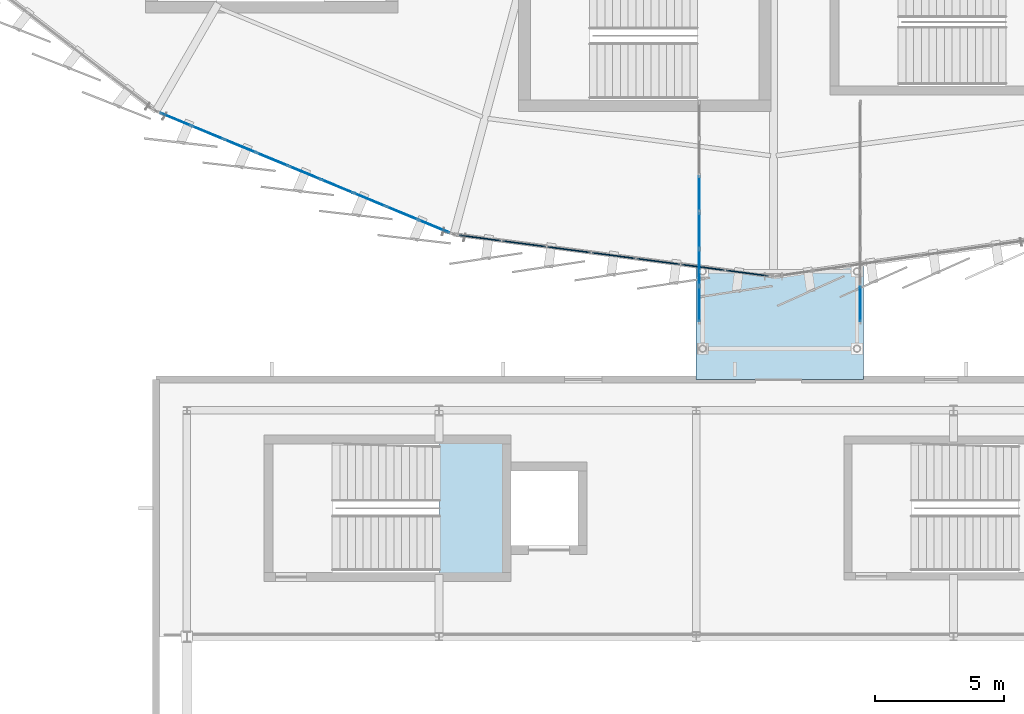
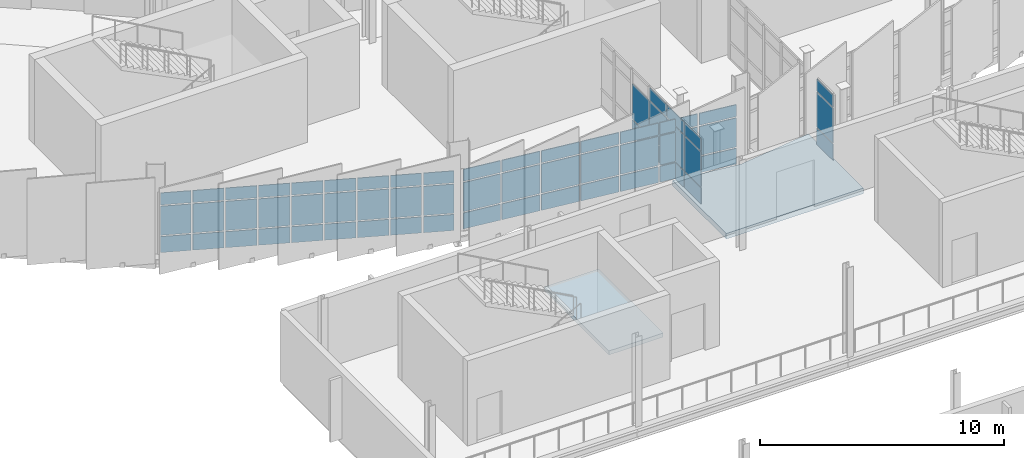
# One storey, part 85 of 134: 62 plates, 2 slabs, 5 elements without a shape of their own.
"""IFC4 building model written with IfcOpenShell, lengths in metres."""

import ifcopenshell
import ifcopenshell.guid

model = None  # the IFC model being written
_history = None  # IfcOwnerHistory: only IFC2X3 demands one
_inside = {}  # id of a spatial element -> (the spatial element, [elements in it])
_under = {}  # id of a project, library or spatial element -> (it, [spatial elements below it])
_declared = {}  # id of a project -> (the project, [libraries it declares])
_typed = {}  # id of a type object -> (the type object, [elements of that type])
_made_of = {}  # id of a material, layer set ... -> (it, [elements and type objects made of it])


def new_model(schema):
    """Start an empty IFC model of exactly this schema.

    Asked for "IFC4X3", IfcOpenShell would pick the latest addendum, in which some entities
    have other attributes; the version numbers below select the first issue.
    IFC2X3 requires an IfcOwnerHistory on every rooted entity: one is made here for all.
    """
    global model, _history
    if schema == "IFC4X3":
        model = ifcopenshell.file(schema_version=(4, 3, 0, 0))
    else:
        model = ifcopenshell.file(schema=schema)
    _inside.clear()
    _under.clear()
    _declared.clear()
    _typed.clear()
    _made_of.clear()
    _history = None
    if model.schema == "IFC2X3":
        org = make("IfcOrganization", Name="unknown")
        user = make(
            "IfcPersonAndOrganization",
            ThePerson=make("IfcPerson", FamilyName="unknown"),
            TheOrganization=org,
        )
        app = make(
            "IfcApplication",
            ApplicationDeveloper=org,
            Version="unknown",
            ApplicationFullName="unknown",
            ApplicationIdentifier="unknown",
        )
        _history = make(
            "IfcOwnerHistory",
            OwningUser=user,
            OwningApplication=app,
            ChangeAction="ADDED",
            CreationDate=0,
        )
    return model


def make(cls, **values):
    """One entity of the class cls with the attributes given. An attribute that is None is left unset."""
    return model.create_entity(
        cls, **{name: value for name, value in values.items() if value is not None}
    )


def rooted(cls, **values):
    """An entity with a GlobalId (a new one), such as an element, a storey or a relation."""
    return make(cls, GlobalId=ifcopenshell.guid.new(), OwnerHistory=_history, **values)


def si_unit(unit_type, name, prefix=None):
    """IfcSIUnit, for example si_unit("LENGTHUNIT", "METRE", prefix="MILLI")."""
    return make("IfcSIUnit", UnitType=unit_type, Prefix=prefix, Name=name)


def assignment(units):
    """IfcUnitAssignment: the units of a project."""
    return None if units is None else make("IfcUnitAssignment", Units=units)


def point(xyz):
    """IfcCartesianPoint."""
    return None if xyz is None else make("IfcCartesianPoint", Coordinates=xyz)


def direction(xyz):
    """IfcDirection."""
    return None if xyz is None else make("IfcDirection", DirectionRatios=xyz)


def frame(location, z_axis=None, x_axis=None):
    """IfcAxis2Placement3D, a coordinate frame: its origin and axes. An axis left out is left unset."""
    return make(
        "IfcAxis2Placement3D",
        Location=point(location),
        Axis=direction(z_axis),
        RefDirection=direction(x_axis),
    )


def frame_2d(location, x_axis=None):
    """IfcAxis2Placement2D, a coordinate frame in the plane: its origin and x axis."""
    return make(
        "IfcAxis2Placement2D", Location=point(location), RefDirection=direction(x_axis)
    )


def origin():
    """The frame at (0, 0, 0) with its axes left unset."""
    return frame((0.0, 0.0, 0.0))


def origin_2d():
    """The frame at (0, 0) in the plane with its x axis left unset."""
    return frame_2d((0.0, 0.0))


def place(relative_to, where):
    """IfcLocalPlacement: puts the frame where relative to a parent placement (None: the world)."""
    return make(
        "IfcLocalPlacement", PlacementRelTo=relative_to, RelativePlacement=where
    )


def context(
    kind, dimensions, precision=None, world=None, true_north=None, identifier=None
):
    """IfcGeometricRepresentationContext, for example the 3D "Model" context."""
    return make(
        "IfcGeometricRepresentationContext",
        ContextIdentifier=identifier,
        ContextType=kind,
        CoordinateSpaceDimension=dimensions,
        Precision=precision,
        WorldCoordinateSystem=world,
        TrueNorth=true_north,
    )


def subcontext(parent, identifier, kind, view, scale=None):
    """IfcGeometricRepresentationSubContext, for example "Body" below "Model"."""
    return make(
        "IfcGeometricRepresentationSubContext",
        ContextIdentifier=identifier,
        ContextType=kind,
        ParentContext=parent,
        TargetScale=scale,
        TargetView=view,
    )


def project(units=None, contexts=None):
    """IfcProject with its units and contexts."""
    return rooted(
        "IfcProject",
        Name="project",
        RepresentationContexts=contexts,
        UnitsInContext=assignment(units),
    )


def spatial(cls, under=None, at=None, **own):
    """A site, building, storey or space (cls), placed at a placement, below another one or the project."""
    s = rooted(cls, ObjectPlacement=at, **own)
    if under is not None:
        _under.setdefault(under.id(), (under, []))[1].append(s)
    return s


def polyline(points):
    """IfcPolyline through the points."""
    return make("IfcPolyline", Points=[point(p) for p in points])


def profile(cls, at=None, kind="AREA", **sizes):
    """A parametric profile (cls). Its sizes go by their IFC names, for example OverallWidth=200.0."""
    return make(cls, ProfileType=kind, Position=at, **sizes)


def rectangle(**sizes):
    """IfcRectangleProfileDef."""
    return profile("IfcRectangleProfileDef", **sizes)


def outline(outer, holes=None, kind="AREA"):
    """IfcArbitraryClosedProfileDef: a profile drawn as a closed curve; with holes, ...WithVoids."""
    if holes is None:
        return make("IfcArbitraryClosedProfileDef", ProfileType=kind, OuterCurve=outer)
    return make(
        "IfcArbitraryProfileDefWithVoids",
        ProfileType=kind,
        OuterCurve=outer,
        InnerCurves=holes,
    )


def extrude(swept, where, along, depth):
    """IfcExtrudedAreaSolid: the profile swept, set in the frame where, extruded along a direction by depth."""
    return make(
        "IfcExtrudedAreaSolid",
        SweptArea=swept,
        Position=where,
        ExtrudedDirection=direction(along),
        Depth=depth,
    )


def shape(context_of_items, identifier, shape_type, items):
    """IfcShapeRepresentation: the items that make up one representation, for example the "Body"."""
    return make(
        "IfcShapeRepresentation",
        ContextOfItems=context_of_items,
        RepresentationIdentifier=identifier,
        RepresentationType=shape_type,
        Items=items,
    )


def material(Name=None, Category=None):
    """IfcMaterial."""
    return make("IfcMaterial", Name=Name, Category=Category)


def layer(
    of_material, thickness, ventilated=None, Name=None, Category=None, Priority=None
):
    """IfcMaterialLayer: one layer of a wall or slab, of a material (None: an air gap)."""
    return make(
        "IfcMaterialLayer",
        Material=of_material,
        LayerThickness=thickness,
        IsVentilated=ventilated,
        Name=Name,
        Category=Category,
        Priority=Priority,
    )


def layer_set(layers, Name=None):
    """IfcMaterialLayerSet."""
    return make("IfcMaterialLayerSet", MaterialLayers=layers, LayerSetName=Name)


def made_of(thing, what):
    """Note that an element or type object is made of a material, layer set ...; save() writes the relation."""
    if what is not None:
        _made_of.setdefault(what.id(), (what, []))[1].append(thing)
    return thing


def type_object(cls, material=None, **own):
    """A type object (cls), such as IfcWallType, which elements share."""
    return made_of(rooted(cls, **own), material)


def element(
    cls,
    number,
    at=None,
    inside=None,
    cuts=None,
    type_object=None,
    material=None,
    context=None,
    identifier="Body",
    shape_type=None,
    held_by="IfcProductDefinitionShape",
    body=None,
    shapes=None,
    **own,
):
    """One element of the class cls, such as IfcWall. Its Tag is "e" and its number.

    at: its placement. inside: the storey or other place that contains it. cuts: it is an
    opening in that element (IfcRelVoidsElement). A single representation is given by context,
    identifier, shape_type and body (its items); several are given by shapes. held_by: the class
    of the entity that holds the representations. save() writes the other relations.
    """
    e = rooted(cls, Tag="e%d" % number, ObjectPlacement=at, **own)
    if body is not None:
        shapes = [shape(context, identifier, shape_type, body)]
    if shapes is not None:
        e.Representation = make(held_by, Representations=shapes)
    if inside is not None:
        _inside.setdefault(inside.id(), (inside, []))[1].append(e)
    if cuts is not None:
        rooted(
            "IfcRelVoidsElement", RelatingBuildingElement=cuts, RelatedOpeningElement=e
        )
    if type_object is not None:
        _typed.setdefault(type_object.id(), (type_object, []))[1].append(e)
    return made_of(e, material)


def aggregate(whole, parts):
    """IfcRelAggregates: a whole, such as a stair, and the parts it consists of."""
    return rooted("IfcRelAggregates", RelatingObject=whole, RelatedObjects=parts)


def save(model, path):
    """Write the relations noted so far, then the file.

    IfcRelAggregates (storeys below a building ...), IfcRelContainedInSpatialStructure (elements
    in a storey), IfcRelDefinesByType, IfcRelAssociatesMaterial and IfcRelDeclares: one each for
    every whole, place, type object, material and project.
    """
    for whole, parts in _under.values():
        aggregate(whole, parts)
    for where, things in _inside.values():
        rooted(
            "IfcRelContainedInSpatialStructure",
            RelatedElements=things,
            RelatingStructure=where,
        )
    for kind, things in _typed.values():
        rooted("IfcRelDefinesByType", RelatedObjects=things, RelatingType=kind)
    for what, things in _made_of.values():
        rooted("IfcRelAssociatesMaterial", RelatedObjects=things, RelatingMaterial=what)
    for by, libraries in _declared.values():
        rooted("IfcRelDeclares", RelatingContext=by, RelatedDefinitions=libraries)
    model.write(path)


model = new_model("IFC4")

# Units and contexts
model_context = context("Model", 3, precision=1e-05, world=origin(), true_north=direction((0.0, 1.0)))
body_context = subcontext(model_context, "Body", "Model", "MODEL_VIEW")
ifc_project = project(units=[si_unit("LENGTHUNIT", "METRE"), si_unit("AREAUNIT", "SQUARE_METRE"), si_unit("VOLUMEUNIT", "CUBIC_METRE"), si_unit("PLANEANGLEUNIT", "RADIAN"), si_unit("MASSUNIT", "GRAM", prefix="KILO")], contexts=[model_context])

# Site, building, storey
site_placement = place(None, origin())
site = spatial("IfcSite", under=ifc_project, at=site_placement, CompositionType="ELEMENT")
building_placement = place(site_placement, origin())
building = spatial("IfcBuilding", under=site, at=building_placement, Name="Sohan Crest Arena", CompositionType="ELEMENT")
storey_placement = place(building_placement, frame((0.0, 0.0, 4.5)))
storey = spatial("IfcBuildingStorey", under=building, at=storey_placement, Name="L01", CompositionType="ELEMENT", Elevation=4.5)

# Curtain wall, plates
ifc_material_1 = material(Name="Thermally broken anodised aluminium", Category="aluminium")
ifc_layer_1 = layer(ifc_material_1, 0.18994140625, Name="Thermally broken anodised aluminium")
ifc_layer_set_1 = layer_set([ifc_layer_1], Name="Thermally broken anodised aluminium")
curtain_wall_type_1 = type_object("IfcCurtainWallType", Name="ARC-CW05", PredefinedType="NOTDEFINED", material=ifc_layer_set_1)
curtain_wall_1_placement = place(storey_placement, origin())
curtain_wall_1 = element("IfcCurtainWall", 1, at=curtain_wall_1_placement, inside=storey, type_object=curtain_wall_type_1, Name="Unitised curtain wall CW-249", PredefinedType="NOTDEFINED")
ifc_material_2 = material(Name="Low-E double-glazed insulated glass", Category="glass")
ifc_layer_2 = layer(ifc_material_2, 0.028076171875, Name="Low-E double-glazed insulated glass")
ifc_layer_set_2 = layer_set([ifc_layer_2], Name="Low-E double-glazed insulated glass")
plate_type_1 = type_object("IfcPlateType", Name="ARC-CNP01", PredefinedType="CURTAIN_PANEL", material=ifc_layer_set_2)
plate_1_placement = place(storey_placement, frame((95.1201171875, 28.932861328125, 0.06005859375), z_axis=(0.0, 0.0, 1.0), x_axis=(0.0, 1.0, 0.0)))
plate_1 = element("IfcPlate", 2, at=plate_1_placement, type_object=plate_type_1, Name="CW-249 panel 1.1", PredefinedType="CURTAIN_PANEL", context=body_context, shape_type="SweptSolid", body=[
    extrude(rectangle(XDim=1.3359375, YDim=0.028076171875, at=origin_2d()), origin(), (0.0, 0.0, 1.0), 0.81005859375),
])
plate_2_placement = place(storey_placement, frame((95.1201171875, 28.932861328125, 0.93017578125), z_axis=(0.0, 0.0, 1.0), x_axis=(0.0, 1.0, 0.0)))
plate_2 = element("IfcPlate", 3, at=plate_2_placement, type_object=plate_type_1, Name="CW-249 panel 1.2", PredefinedType="CURTAIN_PANEL", context=body_context, shape_type="SweptSolid", body=[
    extrude(rectangle(XDim=1.3359375, YDim=0.028076171875, at=origin_2d()), origin(), (0.0, 0.0, 1.0), 1.739990234375),
])
plate_3_placement = place(storey_placement, frame((95.1201171875, 28.932861328125, 2.72998046875), z_axis=(0.0, 0.0, 1.0), x_axis=(0.0, 1.0, 0.0)))
plate_3 = element("IfcPlate", 4, at=plate_3_placement, type_object=plate_type_1, Name="CW-249 panel 1.3", PredefinedType="CURTAIN_PANEL", context=body_context, shape_type="SweptSolid", body=[
    extrude(rectangle(XDim=1.3359375, YDim=0.028076171875, at=origin_2d()), origin(), (0.0, 0.0, 1.0), 0.610107421875),
])
plate_4_placement = place(storey_placement, frame((95.1201171875, 30.35009765625, 0.06005859375), z_axis=(0.0, 0.0, 1.0), x_axis=(0.0, 1.0, 0.0)))
plate_4 = element("IfcPlate", 5, at=plate_4_placement, type_object=plate_type_1, Name="CW-249 panel 2.1", PredefinedType="CURTAIN_PANEL", context=body_context, shape_type="SweptSolid", body=[
    extrude(rectangle(XDim=1.368408203125, YDim=0.028076171875, at=origin_2d()), origin(), (0.0, 0.0, 1.0), 0.81005859375),
])
plate_5_placement = place(storey_placement, frame((95.1201171875, 30.35009765625, 0.93017578125), z_axis=(0.0, 0.0, 1.0), x_axis=(0.0, 1.0, 0.0)))
plate_5 = element("IfcPlate", 6, at=plate_5_placement, type_object=plate_type_1, Name="CW-249 panel 2.2", PredefinedType="CURTAIN_PANEL", context=body_context, shape_type="SweptSolid", body=[
    extrude(rectangle(XDim=1.368408203125, YDim=0.028076171875, at=origin_2d()), origin(), (0.0, 0.0, 1.0), 1.739990234375),
])
plate_6_placement = place(storey_placement, frame((95.1201171875, 30.35009765625, 2.72998046875), z_axis=(0.0, 0.0, 1.0), x_axis=(0.0, 1.0, 0.0)))
plate_6 = element("IfcPlate", 7, at=plate_6_placement, type_object=plate_type_1, Name="CW-249 panel 2.3", PredefinedType="CURTAIN_PANEL", context=body_context, shape_type="SweptSolid", body=[
    extrude(rectangle(XDim=1.368408203125, YDim=0.028076171875, at=origin_2d()), origin(), (0.0, 0.0, 1.0), 0.610107421875),
])
plate_7_placement = place(storey_placement, frame((95.1201171875, 31.783447265625, 0.06005859375), z_axis=(0.0, 0.0, 1.0), x_axis=(0.0, 1.0, 0.0)))
plate_7 = element("IfcPlate", 8, at=plate_7_placement, type_object=plate_type_1, Name="CW-249 panel 3.1", PredefinedType="CURTAIN_PANEL", context=body_context, shape_type="SweptSolid", body=[
    extrude(rectangle(XDim=1.368408203125, YDim=0.028076171875, at=origin_2d()), origin(), (0.0, 0.0, 1.0), 0.81005859375),
])
plate_8_placement = place(storey_placement, frame((95.1201171875, 31.783447265625, 0.93017578125), z_axis=(0.0, 0.0, 1.0), x_axis=(0.0, 1.0, 0.0)))
plate_8 = element("IfcPlate", 9, at=plate_8_placement, type_object=plate_type_1, Name="CW-249 panel 3.2", PredefinedType="CURTAIN_PANEL", context=body_context, shape_type="SweptSolid", body=[
    extrude(rectangle(XDim=1.368408203125, YDim=0.028076171875, at=origin_2d()), origin(), (0.0, 0.0, 1.0), 1.739990234375),
])
plate_9_placement = place(storey_placement, frame((95.1201171875, 31.783447265625, 2.72998046875), z_axis=(0.0, 0.0, 1.0), x_axis=(0.0, 1.0, 0.0)))
plate_9 = element("IfcPlate", 10, at=plate_9_placement, type_object=plate_type_1, Name="CW-249 panel 3.3", PredefinedType="CURTAIN_PANEL", context=body_context, shape_type="SweptSolid", body=[
    extrude(rectangle(XDim=1.368408203125, YDim=0.028076171875, at=origin_2d()), origin(), (0.0, 0.0, 1.0), 0.610107421875),
])
plate_10_placement = place(storey_placement, frame((95.1201171875, 33.216552734375, 0.06005859375), z_axis=(0.0, 0.0, 1.0), x_axis=(0.0, 1.0, 0.0)))
plate_10 = element("IfcPlate", 11, at=plate_10_placement, type_object=plate_type_1, Name="CW-249 panel 4.1", PredefinedType="CURTAIN_PANEL", context=body_context, shape_type="SweptSolid", body=[
    extrude(rectangle(XDim=1.368408203125, YDim=0.028076171875, at=origin_2d()), origin(), (0.0, 0.0, 1.0), 0.81005859375),
])
plate_11_placement = place(storey_placement, frame((95.1201171875, 33.216552734375, 0.93017578125), z_axis=(0.0, 0.0, 1.0), x_axis=(0.0, 1.0, 0.0)))
plate_11 = element("IfcPlate", 12, at=plate_11_placement, type_object=plate_type_1, Name="CW-249 panel 4.2", PredefinedType="CURTAIN_PANEL", context=body_context, shape_type="SweptSolid", body=[
    extrude(rectangle(XDim=1.368408203125, YDim=0.028076171875, at=origin_2d()), origin(), (0.0, 0.0, 1.0), 1.739990234375),
])
aggregate(curtain_wall_1, [plate_1, plate_2, plate_3, plate_4, plate_5, plate_6, plate_7, plate_8, plate_9, plate_10, plate_11])

curtain_wall_2_placement = place(storey_placement, origin())
curtain_wall_2 = element("IfcCurtainWall", 13, at=curtain_wall_2_placement, inside=storey, type_object=curtain_wall_type_1, Name="Unitised curtain wall CW-250", PredefinedType="NOTDEFINED")
plate_12_placement = place(storey_placement, frame((101.3798828125, 28.932861328125, 0.06005859375), z_axis=(0.0, 0.0, 1.0), x_axis=(0.0, 1.0, 0.0)))
plate_12 = element("IfcPlate", 14, at=plate_12_placement, type_object=plate_type_1, Name="CW-250 panel 1.1", PredefinedType="CURTAIN_PANEL", context=body_context, shape_type="SweptSolid", body=[
    extrude(rectangle(XDim=1.3359375, YDim=0.028076171875, at=origin_2d()), origin(), (0.0, 0.0, 1.0), 0.81005859375),
])
plate_13_placement = place(storey_placement, frame((101.3798828125, 28.932861328125, 0.93017578125), z_axis=(0.0, 0.0, 1.0), x_axis=(0.0, 1.0, 0.0)))
plate_13 = element("IfcPlate", 15, at=plate_13_placement, type_object=plate_type_1, Name="CW-250 panel 1.2", PredefinedType="CURTAIN_PANEL", context=body_context, shape_type="SweptSolid", body=[
    extrude(rectangle(XDim=1.3359375, YDim=0.028076171875, at=origin_2d()), origin(), (0.0, 0.0, 1.0), 1.739990234375),
])
plate_14_placement = place(storey_placement, frame((101.3798828125, 28.932861328125, 2.72998046875), z_axis=(0.0, 0.0, 1.0), x_axis=(0.0, 1.0, 0.0)))
plate_14 = element("IfcPlate", 16, at=plate_14_placement, type_object=plate_type_1, Name="CW-250 panel 1.3", PredefinedType="CURTAIN_PANEL", context=body_context, shape_type="SweptSolid", body=[
    extrude(rectangle(XDim=1.3359375, YDim=0.028076171875, at=origin_2d()), origin(), (0.0, 0.0, 1.0), 0.610107421875),
])
aggregate(curtain_wall_2, [plate_12, plate_13, plate_14])

curtain_wall_3_placement = place(storey_placement, origin())
curtain_wall_3 = element("IfcCurtainWall", 17, at=curtain_wall_3_placement, inside=storey, type_object=curtain_wall_type_1, Name="Unitised curtain wall CW-028", PredefinedType="NOTDEFINED")
ifc_material_3 = material(Name="Ceramic-fritted solar-control insulated glass", Category="glass")
ifc_layer_3 = layer(ifc_material_3, 0.035888671875, Name="Ceramic-fritted solar-control insulated glass")
ifc_layer_set_3 = layer_set([ifc_layer_3], Name="Ceramic-fritted solar-control insulated glass")
plate_type_2 = type_object("IfcPlateType", Name="ARC-CNP03", PredefinedType="CURTAIN_PANEL", material=ifc_layer_set_3)
plate_15_placement = place(storey_placement, frame((74.76611328125, 36.113525390625, 0.06494140625), z_axis=(0.0, 0.0, 1.0), x_axis=(0.923906589897, -0.382618103525, 0.0)))
plate_15 = element("IfcPlate", 18, at=plate_15_placement, type_object=plate_type_2, Name="CW-028 panel 1.1", PredefinedType="CURTAIN_PANEL", context=body_context, shape_type="SweptSolid", body=[
    extrude(rectangle(XDim=1.25830078125, YDim=0.035888671875, at=origin_2d()), origin(), (0.0, 0.0, 1.0), 0.802490234375),
])
plate_16_placement = place(storey_placement, frame((74.76611328125, 36.113525390625, 0.932373046875), z_axis=(0.0, 0.0, 1.0), x_axis=(0.923906589897, -0.382618103525, 0.0)))
plate_16 = element("IfcPlate", 19, at=plate_16_placement, type_object=plate_type_2, Name="CW-028 panel 1.2", PredefinedType="CURTAIN_PANEL", context=body_context, shape_type="SweptSolid", body=[
    extrude(rectangle(XDim=1.25830078125, YDim=0.035888671875, at=origin_2d()), origin(), (0.0, 0.0, 1.0), 1.455078125),
])
plate_17_placement = place(storey_placement, frame((74.76611328125, 36.113525390625, 2.452392578125), z_axis=(0.0, 0.0, 1.0), x_axis=(0.923906589897, -0.382618103525, 0.0)))
plate_17 = element("IfcPlate", 20, at=plate_17_placement, type_object=plate_type_2, Name="CW-028 panel 1.3", PredefinedType="CURTAIN_PANEL", context=body_context, shape_type="SweptSolid", body=[
    extrude(rectangle(XDim=1.25830078125, YDim=0.035888671875, at=origin_2d()), origin(), (0.0, 0.0, 1.0), 0.6025390625),
])
plate_18_placement = place(storey_placement, frame((76.009521484375, 35.598388671875, 0.06494140625), z_axis=(0.0, 0.0, 1.0), x_axis=(0.923906589897, -0.382618103525, 0.0)))
plate_18 = element("IfcPlate", 21, at=plate_18_placement, type_object=plate_type_2, Name="CW-028 panel 2.1", PredefinedType="CURTAIN_PANEL", context=body_context, shape_type="SweptSolid", body=[
    extrude(rectangle(XDim=1.29345703125, YDim=0.035888671875, at=origin_2d()), origin(), (0.0, 0.0, 1.0), 0.802490234375),
])
plate_19_placement = place(storey_placement, frame((76.009521484375, 35.598388671875, 0.932373046875), z_axis=(0.0, 0.0, 1.0), x_axis=(0.923906589897, -0.382618103525, 0.0)))
plate_19 = element("IfcPlate", 22, at=plate_19_placement, type_object=plate_type_2, Name="CW-028 panel 2.2", PredefinedType="CURTAIN_PANEL", context=body_context, shape_type="SweptSolid", body=[
    extrude(rectangle(XDim=1.29345703125, YDim=0.035888671875, at=origin_2d()), origin(), (0.0, 0.0, 1.0), 1.455078125),
])
plate_20_placement = place(storey_placement, frame((76.009521484375, 35.598388671875, 2.452392578125), z_axis=(0.0, 0.0, 1.0), x_axis=(0.923906589897, -0.382618103525, 0.0)))
plate_20 = element("IfcPlate", 23, at=plate_20_placement, type_object=plate_type_2, Name="CW-028 panel 2.3", PredefinedType="CURTAIN_PANEL", context=body_context, shape_type="SweptSolid", body=[
    extrude(rectangle(XDim=1.29345703125, YDim=0.035888671875, at=origin_2d()), origin(), (0.0, 0.0, 1.0), 0.6025390625),
])
plate_21_placement = place(storey_placement, frame((77.269287109375, 35.076904296875, 0.06494140625), z_axis=(0.0, 0.0, 1.0), x_axis=(0.923906589897, -0.382618103525, 0.0)))
plate_21 = element("IfcPlate", 24, at=plate_21_placement, type_object=plate_type_2, Name="CW-028 panel 3.1", PredefinedType="CURTAIN_PANEL", context=body_context, shape_type="SweptSolid", body=[
    extrude(rectangle(XDim=1.29345703125, YDim=0.035888671875, at=origin_2d()), origin(), (0.0, 0.0, 1.0), 0.802490234375),
])
plate_22_placement = place(storey_placement, frame((77.269287109375, 35.076904296875, 0.932373046875), z_axis=(0.0, 0.0, 1.0), x_axis=(0.923906589897, -0.382618103525, 0.0)))
plate_22 = element("IfcPlate", 25, at=plate_22_placement, type_object=plate_type_2, Name="CW-028 panel 3.2", PredefinedType="CURTAIN_PANEL", context=body_context, shape_type="SweptSolid", body=[
    extrude(rectangle(XDim=1.29345703125, YDim=0.035888671875, at=origin_2d()), origin(), (0.0, 0.0, 1.0), 1.455078125),
])
plate_23_placement = place(storey_placement, frame((77.269287109375, 35.076904296875, 2.452392578125), z_axis=(0.0, 0.0, 1.0), x_axis=(0.923906589897, -0.382618103525, 0.0)))
plate_23 = element("IfcPlate", 26, at=plate_23_placement, type_object=plate_type_2, Name="CW-028 panel 3.3", PredefinedType="CURTAIN_PANEL", context=body_context, shape_type="SweptSolid", body=[
    extrude(rectangle(XDim=1.29345703125, YDim=0.035888671875, at=origin_2d()), origin(), (0.0, 0.0, 1.0), 0.6025390625),
])
plate_24_placement = place(storey_placement, frame((78.52880859375, 34.55517578125, 0.06494140625), z_axis=(0.0, 0.0, 1.0), x_axis=(0.923906589897, -0.382618103525, 0.0)))
plate_24 = element("IfcPlate", 27, at=plate_24_placement, type_object=plate_type_2, Name="CW-028 panel 4.1", PredefinedType="CURTAIN_PANEL", context=body_context, shape_type="SweptSolid", body=[
    extrude(rectangle(XDim=1.29345703125, YDim=0.035888671875, at=origin_2d()), origin(), (0.0, 0.0, 1.0), 0.802490234375),
])
plate_25_placement = place(storey_placement, frame((78.52880859375, 34.55517578125, 0.932373046875), z_axis=(0.0, 0.0, 1.0), x_axis=(0.923906589897, -0.382618103525, 0.0)))
plate_25 = element("IfcPlate", 28, at=plate_25_placement, type_object=plate_type_2, Name="CW-028 panel 4.2", PredefinedType="CURTAIN_PANEL", context=body_context, shape_type="SweptSolid", body=[
    extrude(rectangle(XDim=1.29345703125, YDim=0.035888671875, at=origin_2d()), origin(), (0.0, 0.0, 1.0), 1.455078125),
])
plate_26_placement = place(storey_placement, frame((78.52880859375, 34.55517578125, 2.452392578125), z_axis=(0.0, 0.0, 1.0), x_axis=(0.923906589897, -0.382618103525, 0.0)))
plate_26 = element("IfcPlate", 29, at=plate_26_placement, type_object=plate_type_2, Name="CW-028 panel 4.3", PredefinedType="CURTAIN_PANEL", context=body_context, shape_type="SweptSolid", body=[
    extrude(rectangle(XDim=1.29345703125, YDim=0.035888671875, at=origin_2d()), origin(), (0.0, 0.0, 1.0), 0.6025390625),
])
plate_27_placement = place(storey_placement, frame((79.78857421875, 34.033447265625, 0.06494140625), z_axis=(0.0, 0.0, 1.0), x_axis=(0.923906589897, -0.382618103525, 0.0)))
plate_27 = element("IfcPlate", 30, at=plate_27_placement, type_object=plate_type_2, Name="CW-028 panel 5.1", PredefinedType="CURTAIN_PANEL", context=body_context, shape_type="SweptSolid", body=[
    extrude(rectangle(XDim=1.29345703125, YDim=0.035888671875, at=origin_2d()), origin(), (0.0, 0.0, 1.0), 0.802490234375),
])
plate_28_placement = place(storey_placement, frame((79.78857421875, 34.033447265625, 0.932373046875), z_axis=(0.0, 0.0, 1.0), x_axis=(0.923906589897, -0.382618103525, 0.0)))
plate_28 = element("IfcPlate", 31, at=plate_28_placement, type_object=plate_type_2, Name="CW-028 panel 5.2", PredefinedType="CURTAIN_PANEL", context=body_context, shape_type="SweptSolid", body=[
    extrude(rectangle(XDim=1.29345703125, YDim=0.035888671875, at=origin_2d()), origin(), (0.0, 0.0, 1.0), 1.455078125),
])
plate_29_placement = place(storey_placement, frame((79.78857421875, 34.033447265625, 2.452392578125), z_axis=(0.0, 0.0, 1.0), x_axis=(0.923906589897, -0.382618103525, 0.0)))
plate_29 = element("IfcPlate", 32, at=plate_29_placement, type_object=plate_type_2, Name="CW-028 panel 5.3", PredefinedType="CURTAIN_PANEL", context=body_context, shape_type="SweptSolid", body=[
    extrude(rectangle(XDim=1.29345703125, YDim=0.035888671875, at=origin_2d()), origin(), (0.0, 0.0, 1.0), 0.6025390625),
])
plate_30_placement = place(storey_placement, frame((81.048095703125, 33.51171875, 0.06494140625), z_axis=(0.0, 0.0, 1.0), x_axis=(0.923906589897, -0.382618103525, 0.0)))
plate_30 = element("IfcPlate", 33, at=plate_30_placement, type_object=plate_type_2, Name="CW-028 panel 6.1", PredefinedType="CURTAIN_PANEL", context=body_context, shape_type="SweptSolid", body=[
    extrude(rectangle(XDim=1.29345703125, YDim=0.035888671875, at=origin_2d()), origin(), (0.0, 0.0, 1.0), 0.802490234375),
])
plate_31_placement = place(storey_placement, frame((81.048095703125, 33.51171875, 0.932373046875), z_axis=(0.0, 0.0, 1.0), x_axis=(0.923906589897, -0.382618103525, 0.0)))
plate_31 = element("IfcPlate", 34, at=plate_31_placement, type_object=plate_type_2, Name="CW-028 panel 6.2", PredefinedType="CURTAIN_PANEL", context=body_context, shape_type="SweptSolid", body=[
    extrude(rectangle(XDim=1.29345703125, YDim=0.035888671875, at=origin_2d()), origin(), (0.0, 0.0, 1.0), 1.455078125),
])
plate_32_placement = place(storey_placement, frame((81.048095703125, 33.51171875, 2.452392578125), z_axis=(0.0, 0.0, 1.0), x_axis=(0.923906589897, -0.382618103525, 0.0)))
plate_32 = element("IfcPlate", 35, at=plate_32_placement, type_object=plate_type_2, Name="CW-028 panel 6.3", PredefinedType="CURTAIN_PANEL", context=body_context, shape_type="SweptSolid", body=[
    extrude(rectangle(XDim=1.29345703125, YDim=0.035888671875, at=origin_2d()), origin(), (0.0, 0.0, 1.0), 0.6025390625),
])
plate_33_placement = place(storey_placement, frame((82.307861328125, 32.990234375, 0.06494140625), z_axis=(0.0, 0.0, 1.0), x_axis=(0.923906589897, -0.382618103525, 0.0)))
plate_33 = element("IfcPlate", 36, at=plate_33_placement, type_object=plate_type_2, Name="CW-028 panel 7.1", PredefinedType="CURTAIN_PANEL", context=body_context, shape_type="SweptSolid", body=[
    extrude(rectangle(XDim=1.29345703125, YDim=0.035888671875, at=origin_2d()), origin(), (0.0, 0.0, 1.0), 0.802490234375),
])
plate_34_placement = place(storey_placement, frame((82.307861328125, 32.990234375, 0.932373046875), z_axis=(0.0, 0.0, 1.0), x_axis=(0.923906589897, -0.382618103525, 0.0)))
plate_34 = element("IfcPlate", 37, at=plate_34_placement, type_object=plate_type_2, Name="CW-028 panel 7.2", PredefinedType="CURTAIN_PANEL", context=body_context, shape_type="SweptSolid", body=[
    extrude(rectangle(XDim=1.29345703125, YDim=0.035888671875, at=origin_2d()), origin(), (0.0, 0.0, 1.0), 1.455078125),
])
plate_35_placement = place(storey_placement, frame((82.307861328125, 32.990234375, 2.452392578125), z_axis=(0.0, 0.0, 1.0), x_axis=(0.923906589897, -0.382618103525, 0.0)))
plate_35 = element("IfcPlate", 38, at=plate_35_placement, type_object=plate_type_2, Name="CW-028 panel 7.3", PredefinedType="CURTAIN_PANEL", context=body_context, shape_type="SweptSolid", body=[
    extrude(rectangle(XDim=1.29345703125, YDim=0.035888671875, at=origin_2d()), origin(), (0.0, 0.0, 1.0), 0.6025390625),
])
plate_36_placement = place(storey_placement, frame((83.5673828125, 32.468505859375, 0.06494140625), z_axis=(0.0, 0.0, 1.0), x_axis=(0.923906589897, -0.382618103525, 0.0)))
plate_36 = element("IfcPlate", 39, at=plate_36_placement, type_object=plate_type_2, Name="CW-028 panel 8.1", PredefinedType="CURTAIN_PANEL", context=body_context, shape_type="SweptSolid", body=[
    extrude(rectangle(XDim=1.29345703125, YDim=0.035888671875, at=origin_2d()), origin(), (0.0, 0.0, 1.0), 0.802490234375),
])
plate_37_placement = place(storey_placement, frame((83.5673828125, 32.468505859375, 0.932373046875), z_axis=(0.0, 0.0, 1.0), x_axis=(0.923906589897, -0.382618103525, 0.0)))
plate_37 = element("IfcPlate", 40, at=plate_37_placement, type_object=plate_type_2, Name="CW-028 panel 8.2", PredefinedType="CURTAIN_PANEL", context=body_context, shape_type="SweptSolid", body=[
    extrude(rectangle(XDim=1.29345703125, YDim=0.035888671875, at=origin_2d()), origin(), (0.0, 0.0, 1.0), 1.455078125),
])
plate_38_placement = place(storey_placement, frame((83.5673828125, 32.468505859375, 2.452392578125), z_axis=(0.0, 0.0, 1.0), x_axis=(0.923906589897, -0.382618103525, 0.0)))
plate_38 = element("IfcPlate", 41, at=plate_38_placement, type_object=plate_type_2, Name="CW-028 panel 8.3", PredefinedType="CURTAIN_PANEL", context=body_context, shape_type="SweptSolid", body=[
    extrude(rectangle(XDim=1.29345703125, YDim=0.035888671875, at=origin_2d()), origin(), (0.0, 0.0, 1.0), 0.6025390625),
])
plate_39_placement = place(storey_placement, frame((84.81103515625, 31.95361328125, 0.06494140625), z_axis=(0.0, 0.0, 1.0), x_axis=(0.923906589897, -0.382618103525, 0.0)))
plate_39 = element("IfcPlate", 42, at=plate_39_placement, type_object=plate_type_2, Name="CW-028 panel 9.1", PredefinedType="CURTAIN_PANEL", context=body_context, shape_type="SweptSolid", body=[
    extrude(rectangle(XDim=1.25830078125, YDim=0.035888671875, at=origin_2d()), origin(), (0.0, 0.0, 1.0), 0.802490234375),
])
plate_40_placement = place(storey_placement, frame((84.81103515625, 31.95361328125, 0.932373046875), z_axis=(0.0, 0.0, 1.0), x_axis=(0.923906589897, -0.382618103525, 0.0)))
plate_40 = element("IfcPlate", 43, at=plate_40_placement, type_object=plate_type_2, Name="CW-028 panel 9.2", PredefinedType="CURTAIN_PANEL", context=body_context, shape_type="SweptSolid", body=[
    extrude(rectangle(XDim=1.25830078125, YDim=0.035888671875, at=origin_2d()), origin(), (0.0, 0.0, 1.0), 1.455078125),
])
plate_41_placement = place(storey_placement, frame((84.81103515625, 31.95361328125, 2.452392578125), z_axis=(0.0, 0.0, 1.0), x_axis=(0.923906589897, -0.382618103525, 0.0)))
plate_41 = element("IfcPlate", 44, at=plate_41_placement, type_object=plate_type_2, Name="CW-028 panel 9.3", PredefinedType="CURTAIN_PANEL", context=body_context, shape_type="SweptSolid", body=[
    extrude(rectangle(XDim=1.25830078125, YDim=0.035888671875, at=origin_2d()), origin(), (0.0, 0.0, 1.0), 0.6025390625),
])
aggregate(curtain_wall_3, [plate_15, plate_16, plate_17, plate_18, plate_19, plate_20, plate_21, plate_22, plate_23, plate_24, plate_25, plate_26, plate_27, plate_28, plate_29, plate_30, plate_31, plate_32, plate_33, plate_34, plate_35, plate_36, plate_37, plate_38, plate_39, plate_40, plate_41])

ifc_layer_4 = layer(ifc_material_1, 0.2099609375, Name="Thermally broken anodised aluminium")
ifc_layer_set_4 = layer_set([ifc_layer_4], Name="Thermally broken anodised aluminium")
curtain_wall_type_2 = type_object("IfcCurtainWallType", Name="ARC-CW06", PredefinedType="NOTDEFINED", material=ifc_layer_set_4)
curtain_wall_4_placement = place(storey_placement, origin())
curtain_wall_4 = element("IfcCurtainWall", 45, at=curtain_wall_4_placement, inside=storey, type_object=curtain_wall_type_2, Name="Unitised curtain wall CW-029", PredefinedType="NOTDEFINED")
ifc_material_4 = material(Name="Insulated polychrome ceramic spandrel panel", Category="masonry")
ifc_layer_5 = layer(ifc_material_4, 0.0419921875, Name="Insulated polychrome ceramic spandrel panel")
ifc_layer_set_5 = layer_set([ifc_layer_5], Name="Insulated polychrome ceramic spandrel panel")
plate_type_3 = type_object("IfcPlateType", Name="ARC-CNP04", PredefinedType="CURTAIN_PANEL", material=ifc_layer_set_5)
plate_42_placement = place(storey_placement, frame((86.593505859375, 31.502197265625, 0.070068359375), z_axis=(0.0, 0.0, 1.0), x_axis=(0.991440142438, -0.130562031094, 0.0)))
plate_42 = element("IfcPlate", 46, at=plate_42_placement, type_object=plate_type_3, Name="CW-029 panel 1.1", PredefinedType="CURTAIN_PANEL", context=body_context, shape_type="SweptSolid", body=[
    extrude(rectangle(XDim=1.640380859375, YDim=0.0419921875, at=origin_2d()), origin(), (0.0, 0.0, 1.0), 0.794921875),
])
plate_43_placement = place(storey_placement, frame((86.593505859375, 31.502197265625, 0.93505859375), z_axis=(0.0, 0.0, 1.0), x_axis=(0.991440142438, -0.130562031094, 0.0)))
plate_43 = element("IfcPlate", 47, at=plate_43_placement, type_object=plate_type_3, Name="CW-029 panel 1.2", PredefinedType="CURTAIN_PANEL", context=body_context, shape_type="SweptSolid", body=[
    extrude(rectangle(XDim=1.640380859375, YDim=0.0419921875, at=origin_2d()), origin(), (0.0, 0.0, 1.0), 1.449951171875),
])
plate_44_placement = place(storey_placement, frame((86.593505859375, 31.502197265625, 2.455078125), z_axis=(0.0, 0.0, 1.0), x_axis=(0.991440142438, -0.130562031094, 0.0)))
plate_44 = element("IfcPlate", 48, at=plate_44_placement, type_object=plate_type_3, Name="CW-029 panel 1.3", PredefinedType="CURTAIN_PANEL", context=body_context, shape_type="SweptSolid", body=[
    extrude(rectangle(XDim=1.640380859375, YDim=0.0419921875, at=origin_2d()), origin(), (0.0, 0.0, 1.0), 0.594970703125),
])
plate_45_placement = place(storey_placement, frame((88.312744140625, 31.275634765625, 0.070068359375), z_axis=(0.0, 0.0, 1.0), x_axis=(0.991440142438, -0.130562031094, 0.0)))
plate_45 = element("IfcPlate", 49, at=plate_45_placement, type_object=plate_type_3, Name="CW-029 panel 2.1", PredefinedType="CURTAIN_PANEL", context=body_context, shape_type="SweptSolid", body=[
    extrude(rectangle(XDim=1.677978515625, YDim=0.0419921875, at=origin_2d()), origin(), (0.0, 0.0, 1.0), 0.794921875),
])
plate_46_placement = place(storey_placement, frame((88.312744140625, 31.275634765625, 0.93505859375), z_axis=(0.0, 0.0, 1.0), x_axis=(0.991440142438, -0.130562031094, 0.0)))
plate_46 = element("IfcPlate", 50, at=plate_46_placement, type_object=plate_type_3, Name="CW-029 panel 2.2", PredefinedType="CURTAIN_PANEL", context=body_context, shape_type="SweptSolid", body=[
    extrude(rectangle(XDim=1.677978515625, YDim=0.0419921875, at=origin_2d()), origin(), (0.0, 0.0, 1.0), 1.449951171875),
])
plate_47_placement = place(storey_placement, frame((88.312744140625, 31.275634765625, 2.455078125), z_axis=(0.0, 0.0, 1.0), x_axis=(0.991440142438, -0.130562031094, 0.0)))
plate_47 = element("IfcPlate", 51, at=plate_47_placement, type_object=plate_type_3, Name="CW-029 panel 2.3", PredefinedType="CURTAIN_PANEL", context=body_context, shape_type="SweptSolid", body=[
    extrude(rectangle(XDim=1.677978515625, YDim=0.0419921875, at=origin_2d()), origin(), (0.0, 0.0, 1.0), 0.594970703125),
])
plate_48_placement = place(storey_placement, frame((90.050537109375, 31.046875, 0.070068359375), z_axis=(0.0, 0.0, 1.0), x_axis=(0.991440142438, -0.130562031094, 0.0)))
plate_48 = element("IfcPlate", 52, at=plate_48_placement, type_object=plate_type_3, Name="CW-029 panel 3.1", PredefinedType="CURTAIN_PANEL", context=body_context, shape_type="SweptSolid", body=[
    extrude(rectangle(XDim=1.677978515625, YDim=0.0419921875, at=origin_2d()), origin(), (0.0, 0.0, 1.0), 0.794921875),
])
plate_49_placement = place(storey_placement, frame((90.050537109375, 31.046875, 0.93505859375), z_axis=(0.0, 0.0, 1.0), x_axis=(0.991440142438, -0.130562031094, 0.0)))
plate_49 = element("IfcPlate", 53, at=plate_49_placement, type_object=plate_type_3, Name="CW-029 panel 3.2", PredefinedType="CURTAIN_PANEL", context=body_context, shape_type="SweptSolid", body=[
    extrude(rectangle(XDim=1.677978515625, YDim=0.0419921875, at=origin_2d()), origin(), (0.0, 0.0, 1.0), 1.449951171875),
])
plate_50_placement = place(storey_placement, frame((90.050537109375, 31.046875, 2.455078125), z_axis=(0.0, 0.0, 1.0), x_axis=(0.991440142438, -0.130562031094, 0.0)))
plate_50 = element("IfcPlate", 54, at=plate_50_placement, type_object=plate_type_3, Name="CW-029 panel 3.3", PredefinedType="CURTAIN_PANEL", context=body_context, shape_type="SweptSolid", body=[
    extrude(rectangle(XDim=1.677978515625, YDim=0.0419921875, at=origin_2d()), origin(), (0.0, 0.0, 1.0), 0.594970703125),
])
plate_51_placement = place(storey_placement, frame((91.78857421875, 30.818115234375, 0.070068359375), z_axis=(0.0, 0.0, 1.0), x_axis=(0.991440142438, -0.130562031094, 0.0)))
plate_51 = element("IfcPlate", 55, at=plate_51_placement, type_object=plate_type_3, Name="CW-029 panel 4.1", PredefinedType="CURTAIN_PANEL", context=body_context, shape_type="SweptSolid", body=[
    extrude(rectangle(XDim=1.677978515625, YDim=0.0419921875, at=origin_2d()), origin(), (0.0, 0.0, 1.0), 0.794921875),
])
plate_52_placement = place(storey_placement, frame((91.78857421875, 30.818115234375, 0.93505859375), z_axis=(0.0, 0.0, 1.0), x_axis=(0.991440142438, -0.130562031094, 0.0)))
plate_52 = element("IfcPlate", 56, at=plate_52_placement, type_object=plate_type_3, Name="CW-029 panel 4.2", PredefinedType="CURTAIN_PANEL", context=body_context, shape_type="SweptSolid", body=[
    extrude(rectangle(XDim=1.677978515625, YDim=0.0419921875, at=origin_2d()), origin(), (0.0, 0.0, 1.0), 1.449951171875),
])
plate_53_placement = place(storey_placement, frame((91.78857421875, 30.818115234375, 2.455078125), z_axis=(0.0, 0.0, 1.0), x_axis=(0.991440142438, -0.130562031094, 0.0)))
plate_53 = element("IfcPlate", 57, at=plate_53_placement, type_object=plate_type_3, Name="CW-029 panel 4.3", PredefinedType="CURTAIN_PANEL", context=body_context, shape_type="SweptSolid", body=[
    extrude(rectangle(XDim=1.677978515625, YDim=0.0419921875, at=origin_2d()), origin(), (0.0, 0.0, 1.0), 0.594970703125),
])
plate_54_placement = place(storey_placement, frame((93.5263671875, 30.589111328125, 0.070068359375), z_axis=(0.0, 0.0, 1.0), x_axis=(0.991440142438, -0.130562031094, 0.0)))
plate_54 = element("IfcPlate", 58, at=plate_54_placement, type_object=plate_type_3, Name="CW-029 panel 5.1", PredefinedType="CURTAIN_PANEL", context=body_context, shape_type="SweptSolid", body=[
    extrude(rectangle(XDim=1.677978515625, YDim=0.0419921875, at=origin_2d()), origin(), (0.0, 0.0, 1.0), 0.794921875),
])
plate_55_placement = place(storey_placement, frame((93.5263671875, 30.589111328125, 0.93505859375), z_axis=(0.0, 0.0, 1.0), x_axis=(0.991440142438, -0.130562031094, 0.0)))
plate_55 = element("IfcPlate", 59, at=plate_55_placement, type_object=plate_type_3, Name="CW-029 panel 5.2", PredefinedType="CURTAIN_PANEL", context=body_context, shape_type="SweptSolid", body=[
    extrude(rectangle(XDim=1.677978515625, YDim=0.0419921875, at=origin_2d()), origin(), (0.0, 0.0, 1.0), 1.449951171875),
])
plate_56_placement = place(storey_placement, frame((93.5263671875, 30.589111328125, 2.455078125), z_axis=(0.0, 0.0, 1.0), x_axis=(0.991440142438, -0.130562031094, 0.0)))
plate_56 = element("IfcPlate", 60, at=plate_56_placement, type_object=plate_type_3, Name="CW-029 panel 5.3", PredefinedType="CURTAIN_PANEL", context=body_context, shape_type="SweptSolid", body=[
    extrude(rectangle(XDim=1.677978515625, YDim=0.0419921875, at=origin_2d()), origin(), (0.0, 0.0, 1.0), 0.594970703125),
])
plate_57_placement = place(storey_placement, frame((95.26416015625, 30.3603515625, 0.070068359375), z_axis=(0.0, 0.0, 1.0), x_axis=(0.991440142438, -0.130562031094, 0.0)))
plate_57 = element("IfcPlate", 61, at=plate_57_placement, type_object=plate_type_3, Name="CW-029 panel 6.1", PredefinedType="CURTAIN_PANEL", context=body_context, shape_type="SweptSolid", body=[
    extrude(rectangle(XDim=1.677978515625, YDim=0.0419921875, at=origin_2d()), origin(), (0.0, 0.0, 1.0), 0.794921875),
])
plate_58_placement = place(storey_placement, frame((95.26416015625, 30.3603515625, 0.93505859375), z_axis=(0.0, 0.0, 1.0), x_axis=(0.991440142438, -0.130562031094, 0.0)))
plate_58 = element("IfcPlate", 62, at=plate_58_placement, type_object=plate_type_3, Name="CW-029 panel 6.2", PredefinedType="CURTAIN_PANEL", context=body_context, shape_type="SweptSolid", body=[
    extrude(rectangle(XDim=1.677978515625, YDim=0.0419921875, at=origin_2d()), origin(), (0.0, 0.0, 1.0), 1.449951171875),
])
plate_59_placement = place(storey_placement, frame((95.26416015625, 30.3603515625, 2.455078125), z_axis=(0.0, 0.0, 1.0), x_axis=(0.991440142438, -0.130562031094, 0.0)))
plate_59 = element("IfcPlate", 63, at=plate_59_placement, type_object=plate_type_3, Name="CW-029 panel 6.3", PredefinedType="CURTAIN_PANEL", context=body_context, shape_type="SweptSolid", body=[
    extrude(rectangle(XDim=1.677978515625, YDim=0.0419921875, at=origin_2d()), origin(), (0.0, 0.0, 1.0), 0.594970703125),
])
plate_60_placement = place(storey_placement, frame((96.9833984375, 30.1337890625, 0.070068359375), z_axis=(0.0, 0.0, 1.0), x_axis=(0.991440142438, -0.130562031094, 0.0)))
plate_60 = element("IfcPlate", 64, at=plate_60_placement, type_object=plate_type_3, Name="CW-029 panel 7.1", PredefinedType="CURTAIN_PANEL", context=body_context, shape_type="SweptSolid", body=[
    extrude(rectangle(XDim=1.640380859375, YDim=0.0419921875, at=origin_2d()), origin(), (0.0, 0.0, 1.0), 0.794921875),
])
plate_61_placement = place(storey_placement, frame((96.9833984375, 30.1337890625, 0.93505859375), z_axis=(0.0, 0.0, 1.0), x_axis=(0.991440142438, -0.130562031094, 0.0)))
plate_61 = element("IfcPlate", 65, at=plate_61_placement, type_object=plate_type_3, Name="CW-029 panel 7.2", PredefinedType="CURTAIN_PANEL", context=body_context, shape_type="SweptSolid", body=[
    extrude(rectangle(XDim=1.640380859375, YDim=0.0419921875, at=origin_2d()), origin(), (0.0, 0.0, 1.0), 1.449951171875),
])
plate_62_placement = place(storey_placement, frame((96.9833984375, 30.1337890625, 2.455078125), z_axis=(0.0, 0.0, 1.0), x_axis=(0.991440142438, -0.130562031094, 0.0)))
plate_62 = element("IfcPlate", 66, at=plate_62_placement, type_object=plate_type_3, Name="CW-029 panel 7.3", PredefinedType="CURTAIN_PANEL", context=body_context, shape_type="SweptSolid", body=[
    extrude(rectangle(XDim=1.640380859375, YDim=0.0419921875, at=origin_2d()), origin(), (0.0, 0.0, 1.0), 0.594970703125),
])
aggregate(curtain_wall_4, [plate_42, plate_43, plate_44, plate_45, plate_46, plate_47, plate_48, plate_49, plate_50, plate_51, plate_52, plate_53, plate_54, plate_55, plate_56, plate_57, plate_58, plate_59, plate_60, plate_61, plate_62])

# Slab
ifc_material_5 = material(Name="Concrete C40/50", Category="concrete")
ifc_layer_6 = layer(ifc_material_5, 0.27490234375, Name="Concrete C40/50")
ifc_layer_set_6 = layer_set([ifc_layer_6], Name="Concrete C40/50")
slab_type_1 = type_object("IfcSlabType", Name="SL-FLR4", PredefinedType="FLOOR", material=ifc_layer_set_6)
slab_1_placement = place(storey_placement, frame((0.0, 0.0, -0.27490234375)))
element("IfcSlab", 67, at=slab_1_placement, inside=storey, type_object=slab_type_1, Name="Covered bridge BR-S1 L01 deck SL-BR-S1-L01", PredefinedType="FLOOR", context=body_context, shape_type="SweptSolid", body=[
    extrude(outline(polyline([(101.5, 26.0), (95.0, 26.0), (95.0, 30.39501953125), (98.0, 30.0), (101.5, 30.5), (101.5, 26.0)])), origin(), (0.0, 0.0, 1.0), 0.27490234375),
])

# Stair, slab
stair_type = type_object("IfcStairType", Name="ST-450W", PredefinedType="TWO_STRAIGHT_RUN_STAIR", material=ifc_material_5)
stair_placement = place(storey_placement, origin())
stair = element("IfcStair", 68, at=stair_placement, inside=storey, type_object=stair_type, Name="Protected exit stair ST17-L01", PredefinedType="TWO_STRAIGHT_RUN_STAIR")
ifc_layer_7 = layer(ifc_material_5, 0.199951171875, Name="Concrete C40/50")
ifc_layer_set_7 = layer_set([ifc_layer_7], Name="Concrete C40/50")
slab_type_2 = type_object("IfcSlabType", Name="SL-LND1", PredefinedType="LANDING", material=ifc_layer_set_7)
slab_2_placement = place(storey_placement, frame((0.0, 0.0, 2.050048828125)))
slab_2 = element("IfcSlab", 69, at=slab_2_placement, type_object=slab_type_2, Name="ST17-L01 landing 1", PredefinedType="LANDING", context=body_context, shape_type="SweptSolid", body=[
    extrude(outline(polyline([(85.030029296875, 18.35009765625), (87.60009765625, 18.35009765625), (87.60009765625, 23.64990234375), (85.030029296875, 23.64990234375), (85.030029296875, 18.35009765625)])), origin(), (0.0, 0.0, 1.0), 0.199951171875),
])
aggregate(stair, [slab_2])

save(model, "model.ifc")
